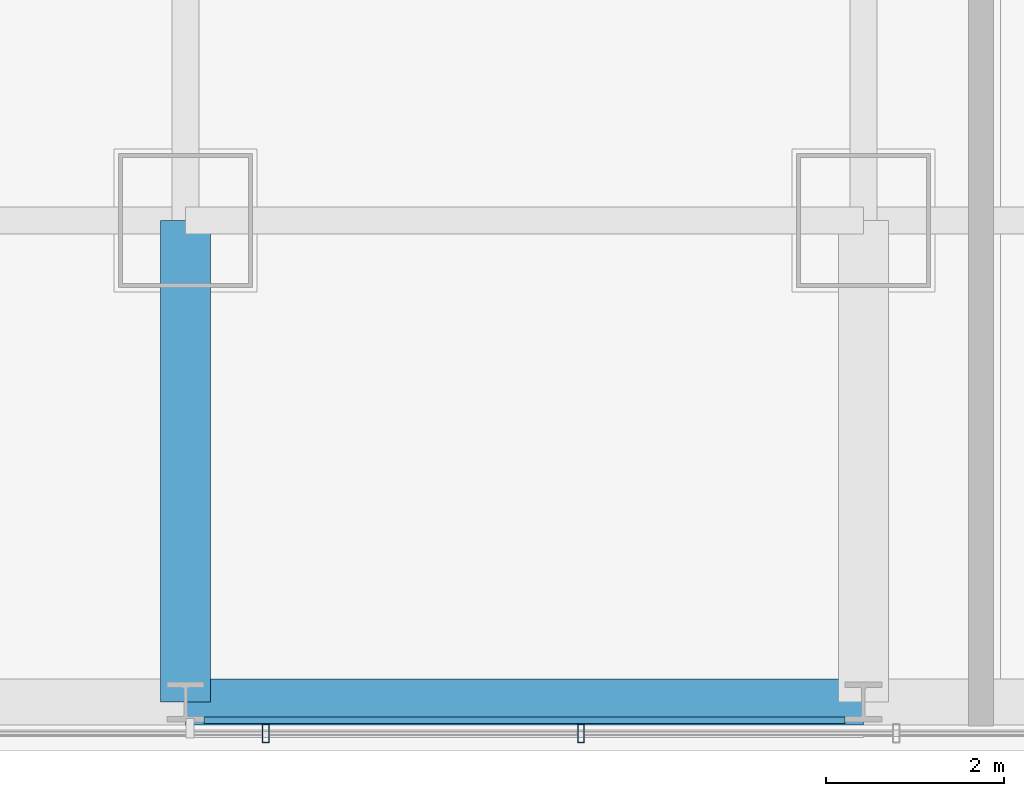
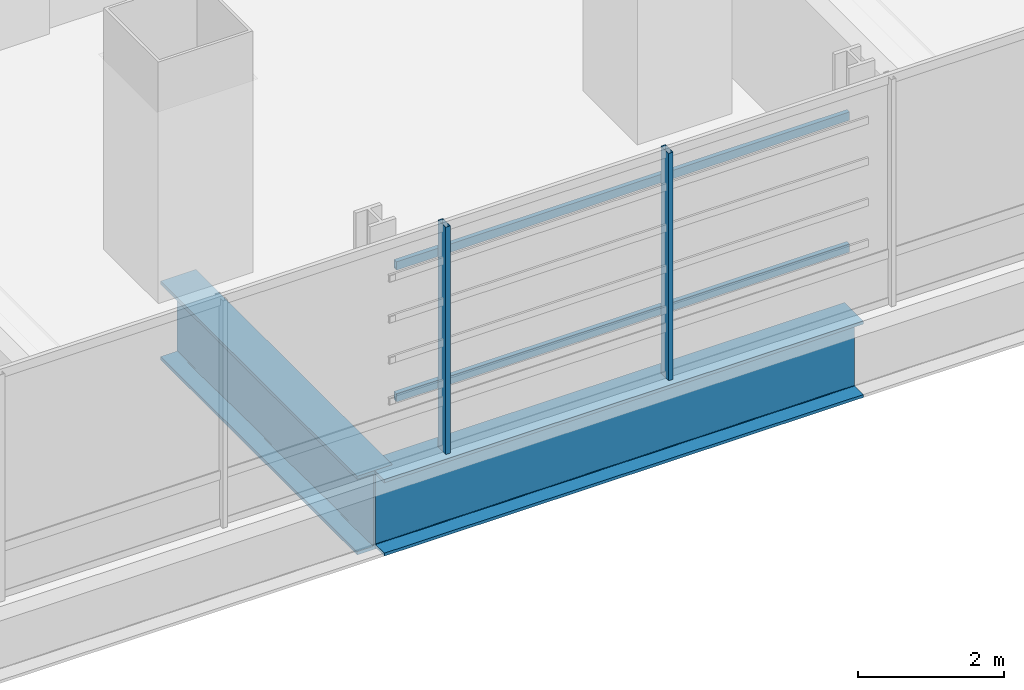
# One storey, part 4 of 34: 4 members, 2 beams, 1 element without a shape of its own.
"""IFC4 building model written with IfcOpenShell, lengths in metres."""

import ifcopenshell
import ifcopenshell.guid

model = None  # the IFC model being written
_history = None  # IfcOwnerHistory: only IFC2X3 demands one
_inside = {}  # id of a spatial element -> (the spatial element, [elements in it])
_under = {}  # id of a project, library or spatial element -> (it, [spatial elements below it])
_declared = {}  # id of a project -> (the project, [libraries it declares])
_typed = {}  # id of a type object -> (the type object, [elements of that type])
_made_of = {}  # id of a material, layer set ... -> (it, [elements and type objects made of it])


def new_model(schema):
    """Start an empty IFC model of exactly this schema.

    Asked for "IFC4X3", IfcOpenShell would pick the latest addendum, in which some entities
    have other attributes; the version numbers below select the first issue.
    IFC2X3 requires an IfcOwnerHistory on every rooted entity: one is made here for all.
    """
    global model, _history
    if schema == "IFC4X3":
        model = ifcopenshell.file(schema_version=(4, 3, 0, 0))
    else:
        model = ifcopenshell.file(schema=schema)
    _inside.clear()
    _under.clear()
    _declared.clear()
    _typed.clear()
    _made_of.clear()
    _history = None
    if model.schema == "IFC2X3":
        org = make("IfcOrganization", Name="unknown")
        user = make(
            "IfcPersonAndOrganization",
            ThePerson=make("IfcPerson", FamilyName="unknown"),
            TheOrganization=org,
        )
        app = make(
            "IfcApplication",
            ApplicationDeveloper=org,
            Version="unknown",
            ApplicationFullName="unknown",
            ApplicationIdentifier="unknown",
        )
        _history = make(
            "IfcOwnerHistory",
            OwningUser=user,
            OwningApplication=app,
            ChangeAction="ADDED",
            CreationDate=0,
        )
    return model


def make(cls, **values):
    """One entity of the class cls with the attributes given. An attribute that is None is left unset."""
    return model.create_entity(
        cls, **{name: value for name, value in values.items() if value is not None}
    )


def rooted(cls, **values):
    """An entity with a GlobalId (a new one), such as an element, a storey or a relation."""
    return make(cls, GlobalId=ifcopenshell.guid.new(), OwnerHistory=_history, **values)


def si_unit(unit_type, name, prefix=None):
    """IfcSIUnit, for example si_unit("LENGTHUNIT", "METRE", prefix="MILLI")."""
    return make("IfcSIUnit", UnitType=unit_type, Prefix=prefix, Name=name)


def assignment(units):
    """IfcUnitAssignment: the units of a project."""
    return None if units is None else make("IfcUnitAssignment", Units=units)


def point(xyz):
    """IfcCartesianPoint."""
    return None if xyz is None else make("IfcCartesianPoint", Coordinates=xyz)


def direction(xyz):
    """IfcDirection."""
    return None if xyz is None else make("IfcDirection", DirectionRatios=xyz)


def frame(location, z_axis=None, x_axis=None):
    """IfcAxis2Placement3D, a coordinate frame: its origin and axes. An axis left out is left unset."""
    return make(
        "IfcAxis2Placement3D",
        Location=point(location),
        Axis=direction(z_axis),
        RefDirection=direction(x_axis),
    )


def frame_2d(location, x_axis=None):
    """IfcAxis2Placement2D, a coordinate frame in the plane: its origin and x axis."""
    return make(
        "IfcAxis2Placement2D", Location=point(location), RefDirection=direction(x_axis)
    )


def origin():
    """The frame at (0, 0, 0) with its axes left unset."""
    return frame((0.0, 0.0, 0.0))


def origin_2d():
    """The frame at (0, 0) in the plane with its x axis left unset."""
    return frame_2d((0.0, 0.0))


def place(relative_to, where):
    """IfcLocalPlacement: puts the frame where relative to a parent placement (None: the world)."""
    return make(
        "IfcLocalPlacement", PlacementRelTo=relative_to, RelativePlacement=where
    )


def context(
    kind, dimensions, precision=None, world=None, true_north=None, identifier=None
):
    """IfcGeometricRepresentationContext, for example the 3D "Model" context."""
    return make(
        "IfcGeometricRepresentationContext",
        ContextIdentifier=identifier,
        ContextType=kind,
        CoordinateSpaceDimension=dimensions,
        Precision=precision,
        WorldCoordinateSystem=world,
        TrueNorth=true_north,
    )


def subcontext(parent, identifier, kind, view, scale=None):
    """IfcGeometricRepresentationSubContext, for example "Body" below "Model"."""
    return make(
        "IfcGeometricRepresentationSubContext",
        ContextIdentifier=identifier,
        ContextType=kind,
        ParentContext=parent,
        TargetScale=scale,
        TargetView=view,
    )


def project(units=None, contexts=None):
    """IfcProject with its units and contexts."""
    return rooted(
        "IfcProject",
        Name="project",
        RepresentationContexts=contexts,
        UnitsInContext=assignment(units),
    )


def spatial(cls, under=None, at=None, **own):
    """A site, building, storey or space (cls), placed at a placement, below another one or the project."""
    s = rooted(cls, ObjectPlacement=at, **own)
    if under is not None:
        _under.setdefault(under.id(), (under, []))[1].append(s)
    return s


def profile(cls, at=None, kind="AREA", **sizes):
    """A parametric profile (cls). Its sizes go by their IFC names, for example OverallWidth=200.0."""
    return make(cls, ProfileType=kind, Position=at, **sizes)


def hollow_rectangle(**sizes):
    """IfcRectangleHollowProfileDef."""
    return profile("IfcRectangleHollowProfileDef", **sizes)


def i_section(**sizes):
    """IfcIShapeProfileDef."""
    return profile("IfcIShapeProfileDef", **sizes)


def extrude(swept, where, along, depth):
    """IfcExtrudedAreaSolid: the profile swept, set in the frame where, extruded along a direction by depth."""
    return make(
        "IfcExtrudedAreaSolid",
        SweptArea=swept,
        Position=where,
        ExtrudedDirection=direction(along),
        Depth=depth,
    )


def shape(context_of_items, identifier, shape_type, items):
    """IfcShapeRepresentation: the items that make up one representation, for example the "Body"."""
    return make(
        "IfcShapeRepresentation",
        ContextOfItems=context_of_items,
        RepresentationIdentifier=identifier,
        RepresentationType=shape_type,
        Items=items,
    )


def material(Name=None, Category=None):
    """IfcMaterial."""
    return make("IfcMaterial", Name=Name, Category=Category)


def material_profile(
    of_material, cross_section, Name=None, Category=None, Priority=None
):
    """IfcMaterialProfile: a cross section and its material."""
    return make(
        "IfcMaterialProfile",
        Name=Name,
        Material=of_material,
        Profile=cross_section,
        Priority=Priority,
        Category=Category,
    )


def profile_set(profiles, Name=None, composite=None):
    """IfcMaterialProfileSet."""
    return make(
        "IfcMaterialProfileSet",
        Name=Name,
        MaterialProfiles=profiles,
        CompositeProfile=composite,
    )


def made_of(thing, what):
    """Note that an element or type object is made of a material, layer set ...; save() writes the relation."""
    if what is not None:
        _made_of.setdefault(what.id(), (what, []))[1].append(thing)
    return thing


def type_object(cls, material=None, **own):
    """A type object (cls), such as IfcWallType, which elements share."""
    return made_of(rooted(cls, **own), material)


def element(
    cls,
    number,
    at=None,
    inside=None,
    cuts=None,
    type_object=None,
    material=None,
    context=None,
    identifier="Body",
    shape_type=None,
    held_by="IfcProductDefinitionShape",
    body=None,
    shapes=None,
    **own,
):
    """One element of the class cls, such as IfcWall. Its Tag is "e" and its number.

    at: its placement. inside: the storey or other place that contains it. cuts: it is an
    opening in that element (IfcRelVoidsElement). A single representation is given by context,
    identifier, shape_type and body (its items); several are given by shapes. held_by: the class
    of the entity that holds the representations. save() writes the other relations.
    """
    e = rooted(cls, Tag="e%d" % number, ObjectPlacement=at, **own)
    if body is not None:
        shapes = [shape(context, identifier, shape_type, body)]
    if shapes is not None:
        e.Representation = make(held_by, Representations=shapes)
    if inside is not None:
        _inside.setdefault(inside.id(), (inside, []))[1].append(e)
    if cuts is not None:
        rooted(
            "IfcRelVoidsElement", RelatingBuildingElement=cuts, RelatedOpeningElement=e
        )
    if type_object is not None:
        _typed.setdefault(type_object.id(), (type_object, []))[1].append(e)
    return made_of(e, material)


def aggregate(whole, parts):
    """IfcRelAggregates: a whole, such as a stair, and the parts it consists of."""
    return rooted("IfcRelAggregates", RelatingObject=whole, RelatedObjects=parts)


def save(model, path):
    """Write the relations noted so far, then the file.

    IfcRelAggregates (storeys below a building ...), IfcRelContainedInSpatialStructure (elements
    in a storey), IfcRelDefinesByType, IfcRelAssociatesMaterial and IfcRelDeclares: one each for
    every whole, place, type object, material and project.
    """
    for whole, parts in _under.values():
        aggregate(whole, parts)
    for where, things in _inside.values():
        rooted(
            "IfcRelContainedInSpatialStructure",
            RelatedElements=things,
            RelatingStructure=where,
        )
    for kind, things in _typed.values():
        rooted("IfcRelDefinesByType", RelatedObjects=things, RelatingType=kind)
    for what, things in _made_of.values():
        rooted("IfcRelAssociatesMaterial", RelatedObjects=things, RelatingMaterial=what)
    for by, libraries in _declared.values():
        rooted("IfcRelDeclares", RelatingContext=by, RelatedDefinitions=libraries)
    model.write(path)


model = new_model("IFC4")

# Units and contexts
model_context = context("Model", 3, precision=1e-05, world=origin(), true_north=direction((0.0, 1.0)))
body_context = subcontext(model_context, "Body", "Model", "MODEL_VIEW")
ifc_project = project(units=[si_unit("LENGTHUNIT", "METRE"), si_unit("AREAUNIT", "SQUARE_METRE"), si_unit("VOLUMEUNIT", "CUBIC_METRE"), si_unit("PLANEANGLEUNIT", "RADIAN"), si_unit("MASSUNIT", "GRAM", prefix="KILO")], contexts=[model_context])

# Site, building, storey
site_placement = place(None, origin())
site = spatial("IfcSite", under=ifc_project, at=site_placement, CompositionType="ELEMENT")
building_placement = place(site_placement, origin())
building = spatial("IfcBuilding", under=site, at=building_placement, Name="Punatoya Terracotta Tower", CompositionType="ELEMENT")
storey_placement = place(building_placement, frame((0.0, 0.0, 80.85009765625)))
storey = spatial("IfcBuildingStorey", under=building, at=storey_placement, Name="L18", CompositionType="ELEMENT", Elevation=80.85009765625)

# Beams
ifc_material_1 = material(Name="Steel S460", Category="steel")
ifc_material_profile_1 = material_profile(ifc_material_1, i_section(OverallWidth=0.56005859375, OverallDepth=1.320068359375, WebThickness=0.035888671875, FlangeThickness=0.054931640625, FilletRadius=0.01806640625, at=origin_2d()))
ifc_profile_set_1 = profile_set([ifc_material_profile_1], Name="Steel S460")
beam_type_1 = type_object("IfcBeamType", Name="BM-TG-BLK", PredefinedType="BEAM", material=ifc_profile_set_1)
beam_1_placement = place(storey_placement, frame((-3.800048828125, -22.89990234375, -0.900146484375), z_axis=(0.0, 1.0, 0.0), x_axis=(-1.0, 0.0, 0.0)))
element("IfcBeam", 1, at=beam_1_placement, inside=storey, type_object=beam_type_1, Name="BM-L18-CANT-S2", PredefinedType="BEAM", context=body_context, shape_type="SweptSolid", body=[
    extrude(i_section(OverallWidth=0.56005859375, OverallDepth=1.320068359375, WebThickness=0.035888671875, FlangeThickness=0.054931640625, FilletRadius=0.01806640625, at=origin_2d()), origin(), (0.0, 0.0, 1.0), 5.39990234375),
])
ifc_material_profile_2 = material_profile(ifc_material_1, i_section(OverallWidth=0.52001953125, OverallDepth=1.280029296875, WebThickness=0.031982421875, FlangeThickness=0.050048828125, FilletRadius=0.01806640625, at=origin_2d()))
ifc_profile_set_2 = profile_set([ifc_material_profile_2], Name="Steel S460")
beam_type_2 = type_object("IfcBeamType", Name="BM-TG-NCK", PredefinedType="BEAM", material=ifc_profile_set_2)
beam_2_placement = place(storey_placement, frame((-3.800048828125, -22.89990234375, -0.880126953125), z_axis=(1.0, 0.0, 0.0), x_axis=(0.0, 1.0, 0.0)))
element("IfcBeam", 2, at=beam_2_placement, inside=storey, type_object=beam_type_2, Name="BM-L18-PER-S2", PredefinedType="BEAM", context=body_context, shape_type="SweptSolid", body=[
    extrude(i_section(OverallWidth=0.52001953125, OverallDepth=1.280029296875, WebThickness=0.031982421875, FlangeThickness=0.050048828125, FilletRadius=0.01806640625, at=origin_2d()), origin(), (0.0, 0.0, 1.0), 7.60009765625),
])

# Curtain wall, members
ifc_material_2 = material(Name="Aluminium 6063-T6 + Double Low-E Glass", Category="aluminium")
curtain_wall_type = type_object("IfcCurtainWallType", Name="CW-M1", PredefinedType="NOTDEFINED", material=ifc_material_2)
curtain_wall_placement = place(storey_placement, origin())
curtain_wall = element("IfcCurtainWall", 3, at=curtain_wall_placement, inside=storey, type_object=curtain_wall_type, Name="L18 Curtain Wall CW-L18-S01-1", PredefinedType="NOTDEFINED")
ifc_material_3 = material(Name="Aluminium 6063-T6", Category="aluminium")
ifc_material_profile_3 = material_profile(ifc_material_3, hollow_rectangle(XDim=0.074951171875, YDim=0.2099609375, WallThickness=0.00439453125, at=origin_2d()))
ifc_profile_set_3 = profile_set([ifc_material_profile_3], Name="Aluminium 6063-T6")
member_type_1 = type_object("IfcMemberType", Name="CW-MUL-M1", PredefinedType="MULLION", material=ifc_profile_set_3)
member_1_placement = place(storey_placement, frame((-2.90087890625, -23.25, 0.0), z_axis=(0.0, 0.0, 1.0), x_axis=(1.0, 0.0, 0.0)))
member_1 = element("IfcMember", 4, at=member_1_placement, type_object=member_type_1, Name="CW-L18-S01-1 Mullion 04", PredefinedType="MULLION", context=body_context, shape_type="SweptSolid", body=[
    extrude(hollow_rectangle(XDim=0.074951171875, YDim=0.2099609375, WallThickness=0.00439453125, at=origin_2d()), origin(), (0.0, 0.0, 1.0), 3.809814453125),
])
member_2_placement = place(storey_placement, frame((0.633056640625, -23.25, 0.0), z_axis=(0.0, 0.0, 1.0), x_axis=(1.0, 0.0, 0.0)))
member_2 = element("IfcMember", 5, at=member_2_placement, type_object=member_type_1, Name="CW-L18-S01-1 Mullion 05", PredefinedType="MULLION", context=body_context, shape_type="SweptSolid", body=[
    extrude(hollow_rectangle(XDim=0.074951171875, YDim=0.2099609375, WallThickness=0.00439453125, at=origin_2d()), origin(), (0.0, 0.0, 1.0), 3.809814453125),
])
aggregate(curtain_wall, [member_1, member_2])

# Members
ifc_material_4 = material(Name="Steel S355", Category="steel")
ifc_material_profile_4 = material_profile(ifc_material_4, hollow_rectangle(XDim=0.070068359375, YDim=0.139892578125, WallThickness=0.006103515625, at=origin_2d()))
ifc_profile_set_4 = profile_set([ifc_material_profile_4], Name="Steel S355")
member_type_2 = type_object("IfcMemberType", Name="MEM-BAG-RAIL", PredefinedType="USERDEFINED", material=ifc_profile_set_4)
for number, where, z_axis, x_axis, name in (
    (6, (-3.592529296875, -23.10498046875, 1.0498046875), (1.0, 0.0, 0.0), (0.0, 1.0, 0.0), "L18 Terracotta Baguette Carrier Rail BAG-L18-S-R1"),
    (7, (-3.592529296875, -23.10498046875, 3.260009765625), (1.0, 0.0, 0.0), (0.0, 1.0, 0.0), "L18 Terracotta Baguette Carrier Rail BAG-L18-S-R2"),
):
    element("IfcMember", number, at=place(storey_placement, frame(where, z_axis=z_axis, x_axis=x_axis)), inside=storey, type_object=member_type_2, Name=name, ObjectType="BAGUETTE", PredefinedType="USERDEFINED", context=body_context, shape_type="SweptSolid", body=[
        extrude(hollow_rectangle(XDim=0.070068359375, YDim=0.139892578125, WallThickness=0.006103515625, at=origin_2d()), origin(), (0.0, 0.0, 1.0), 7.18505859375),
    ])

save(model, "model.ifc")
